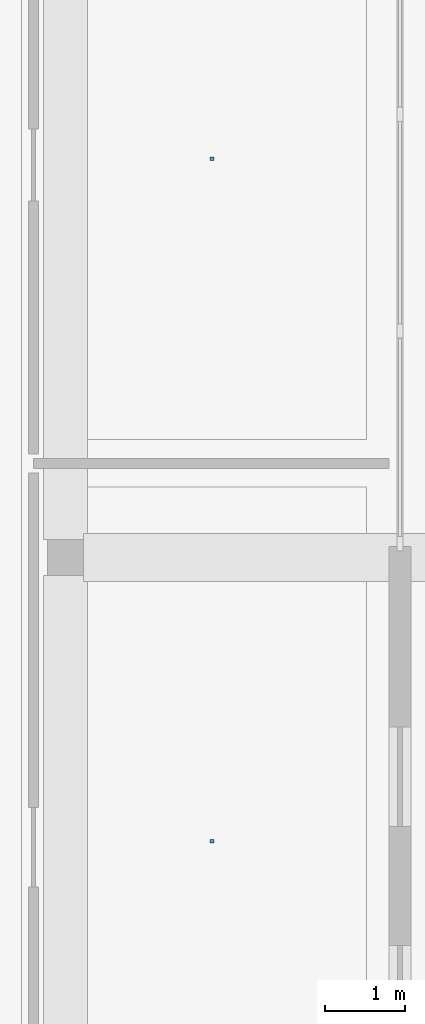
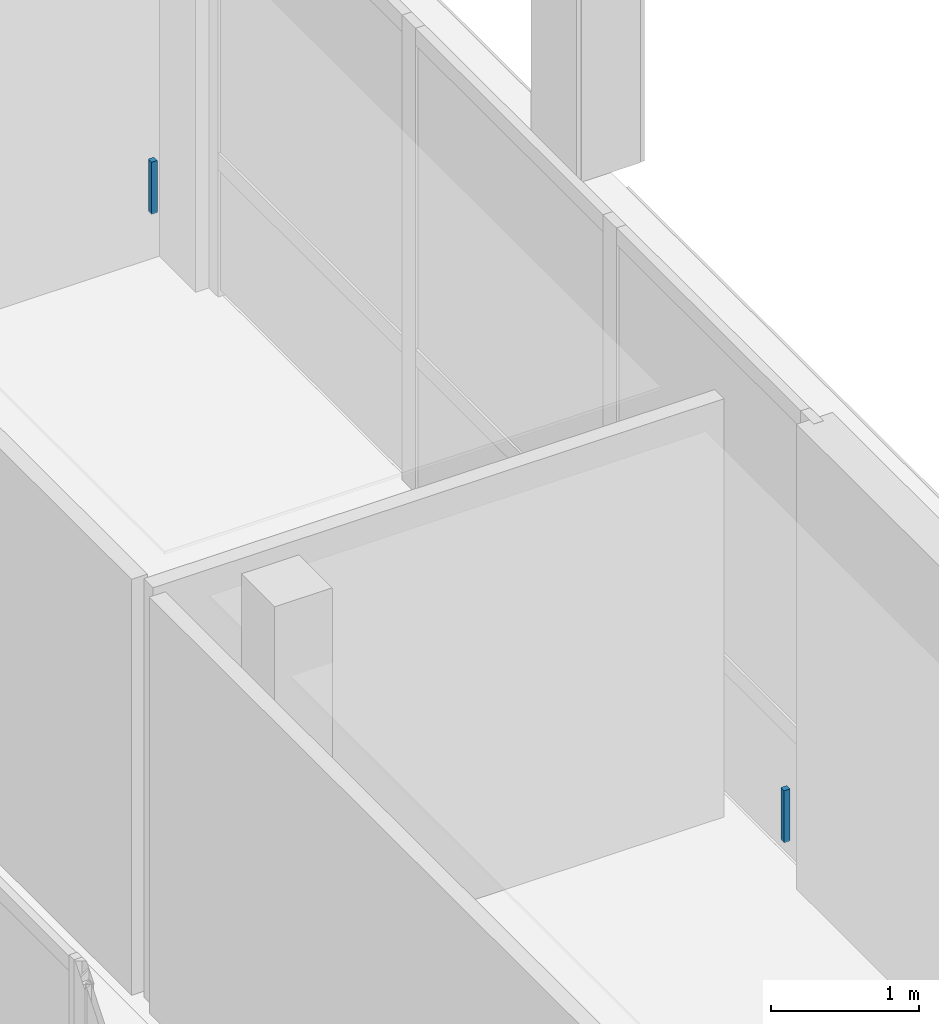
# One storey, part 38 of 48: 2 discrete accessories.
"""IFC4 building model written with IfcOpenShell, lengths in metres."""

from ifc_helpers import new_model, si_unit, derived_unit, direction, frame, origin, origin_2d, place, context, subcontext, project, spatial, rectangle, extrude, material, type_object, element, save


model = new_model("IFC4")

# Units and contexts
model_context = context("Model", 3, precision=1e-05, world=origin(), true_north=direction((0.0, 1.0)))
body_context = subcontext(model_context, "Body", "Model", "MODEL_VIEW")
ifc_project = project(units=[si_unit("LENGTHUNIT", "METRE"), si_unit("AREAUNIT", "SQUARE_METRE"), si_unit("VOLUMEUNIT", "CUBIC_METRE"), si_unit("PLANEANGLEUNIT", "RADIAN"), si_unit("MASSUNIT", "GRAM", prefix="KILO"), derived_unit("THERMALTRANSMITTANCEUNIT", [(si_unit("POWERUNIT", "WATT"), 1), (si_unit("LENGTHUNIT", "METRE"), -2), (si_unit("THERMODYNAMICTEMPERATUREUNIT", "KELVIN"), -1)])], contexts=[model_context])

# Site, building, storey
site_placement = place(None, origin())
site = spatial("IfcSite", under=ifc_project, at=site_placement, CompositionType="ELEMENT")
building_placement = place(site_placement, origin())
building = spatial("IfcBuilding", under=site, at=building_placement, Name="Braskholm Square Health Centre", CompositionType="ELEMENT")
storey_placement = place(building_placement, frame((0.0, 0.0, 17.550048828125)))
storey = spatial("IfcBuildingStorey", under=building, at=storey_placement, Name="L05", CompositionType="ELEMENT", Elevation=17.550048828125)

# Discrete accessories
ifc_material = material(Name="Steel ASTM A500 Grade C", Category="steel")
discrete_accessory_type = type_object("IfcDiscreteAccessoryType", Name="CeilingSuspensionBracket", PredefinedType="BRACKET", material=ifc_material)
for number, where, z_axis, x_axis, name in (
    (1, (158.43994140625, 68.639892578125, 3.421875), (0.0, 0.0, 1.0), (1.0, 0.0, 0.0), "Ceiling hanger bracket 0193"),
    (2, (158.43994140625, 77.199951171875, 3.421875), (0.0, 0.0, 1.0), (1.0, 0.0, 0.0), "Ceiling hanger bracket 0194"),
):
    element("IfcDiscreteAccessory", number, at=place(storey_placement, frame(where, z_axis=z_axis, x_axis=x_axis)), inside=storey, type_object=discrete_accessory_type, Name=name, PredefinedType="BRACKET", context=body_context, shape_type="SweptSolid", body=[
        extrude(rectangle(XDim=0.044921875, YDim=0.044921875, at=origin_2d()), origin(), (0.0, 0.0, 1.0), 0.429931640625),
    ])

save(model, "model.ifc")
